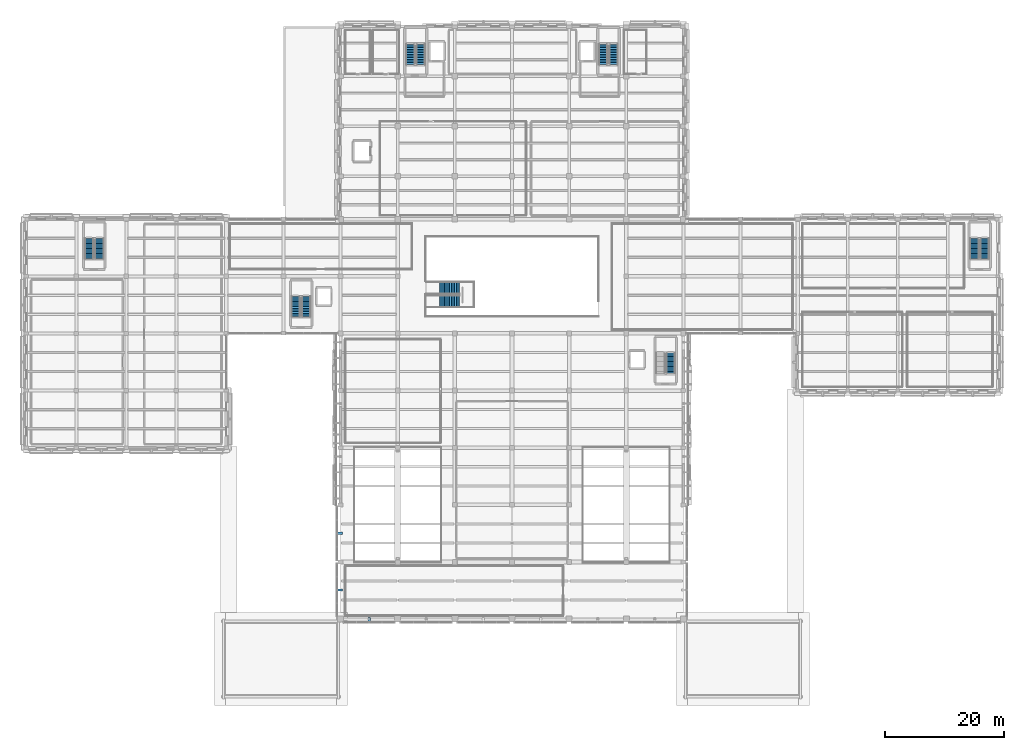
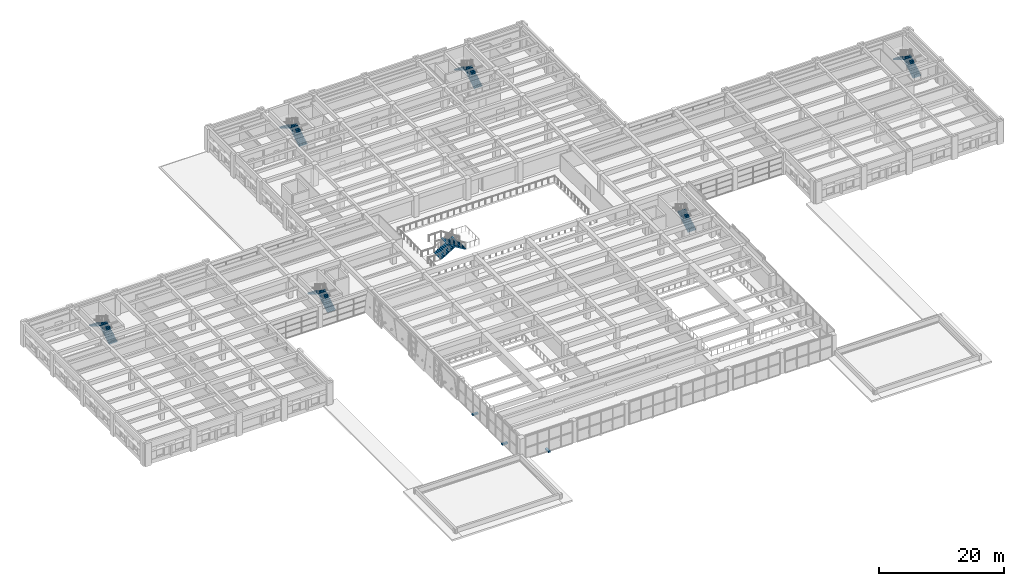
# One storey, part 37 of 49: 13 stair flights, 3 discrete accessories, 7 elements without a shape of their own.
"""IFC4 building model written with IfcOpenShell, lengths in metres."""

from ifc_helpers import new_model, si_unit, direction, frame, origin, origin_2d, place, context, subcontext, project, spatial, polyline, rectangle, outline, extrude, material, layer, layer_set, type_object, element, aggregate, save


model = new_model("IFC4")

# Units and contexts
model_context = context("Model", 3, precision=1e-05, world=origin(), true_north=direction((0.0, 1.0)))
body_context = subcontext(model_context, "Body", "Model", "MODEL_VIEW")
ifc_project = project(units=[si_unit("LENGTHUNIT", "METRE"), si_unit("AREAUNIT", "SQUARE_METRE"), si_unit("VOLUMEUNIT", "CUBIC_METRE"), si_unit("PLANEANGLEUNIT", "RADIAN"), si_unit("MASSUNIT", "GRAM", prefix="KILO")], contexts=[model_context])

# Site, building, storey
site_placement = place(None, origin())
site = spatial("IfcSite", under=ifc_project, at=site_placement, CompositionType="ELEMENT")
building_placement = place(site_placement, origin())
building = spatial("IfcBuilding", under=site, at=building_placement, Name="Bempovik Park Faculty of Sciences", CompositionType="ELEMENT")
storey_placement = place(building_placement, frame((0.0, 0.0, 5.39990234375)))
storey = spatial("IfcBuildingStorey", under=building, at=storey_placement, Name="L01", CompositionType="ELEMENT", Elevation=5.39990234375)

# Stair, stair flights
ifc_material_1 = material(Name="Concrete C35/45", Category="concrete")
stair_type_1 = type_object("IfcStairType", Name="ST-21 Stair W2100 H4500", PredefinedType="STRAIGHT_RUN_STAIR", material=ifc_material_1)
stair_1_placement = place(storey_placement, origin())
stair_1 = element("IfcStair", 1, at=stair_1_placement, inside=storey, type_object=stair_type_1, Name="Atrium Upper Concourse Straight Stair (L01-L02)", PredefinedType="STRAIGHT_RUN_STAIR")
stair_flight_type_1 = type_object("IfcStairFlightType", Name="FL-20 Flight W2100 H4500", PredefinedType="STRAIGHT", material=ifc_material_1)
stair_flight_1_placement = place(storey_placement, frame((76.625, 75.4375, 0.0), z_axis=(0.0, 0.0, 1.0), x_axis=(1.0, 0.0, 0.0)))
stair_flight_1 = element("IfcStairFlight", 2, at=stair_flight_1_placement, type_object=stair_flight_type_1, Name="Atrium Feature Stair Lower Flight", NumberOfRisers=13, NumberOfTreads=12, PredefinedType="STRAIGHT", RiserHeight=0.173076923, TreadLength=0.28125, context=body_context, shape_type="SweptSolid", body=[
    extrude(outline(polyline([(0.0, 0.0), (0.0, 0.173095703125), (0.28125, 0.173095703125), (0.28125, 0.34619140625), (0.5625, 0.34619140625), (0.5625, 0.519287109375), (0.84375, 0.519287109375), (0.84375, 0.6923828125), (1.125, 0.6923828125), (1.125, 0.865478515625), (1.40625, 0.865478515625), (1.40625, 1.03857421875), (1.6875, 1.03857421875), (1.6875, 1.21142578125), (1.96875, 1.21142578125), (1.96875, 1.384521484375), (2.25, 1.384521484375), (2.25, 1.5576171875), (2.53125, 1.5576171875), (2.53125, 1.730712890625), (2.8125, 1.730712890625), (2.8125, 1.90380859375), (3.09375, 1.90380859375), (3.09375, 2.076904296875), (3.375, 2.076904296875), (3.375, 2.25), (3.375, 1.86572265625), (0.34326171875, 0.0), (0.0625, -0.0625), (0.0, -0.0625), (0.0, 0.0)])), frame((0.0, 1.0625, 0.0), z_axis=(0.0, -1.0, 0.0), x_axis=(1.0, 0.0, 0.0)), (0.0, 0.0, 1.0), 2.125),
])
stair_flight_2_placement = place(storey_placement, frame((80.0, 73.1875, 2.25), z_axis=(0.0, 0.0, 1.0), x_axis=(-1.0, 0.0, 0.0)))
stair_flight_2 = element("IfcStairFlight", 3, at=stair_flight_2_placement, type_object=stair_flight_type_1, Name="Atrium Feature Stair Upper Flight", NumberOfRisers=13, NumberOfTreads=12, PredefinedType="STRAIGHT", RiserHeight=0.173076923, TreadLength=0.28125, context=body_context, shape_type="SweptSolid", body=[
    extrude(outline(polyline([(0.0, 0.0), (0.0, 0.173095703125), (0.28125, 0.173095703125), (0.28125, 0.34619140625), (0.5625, 0.34619140625), (0.5625, 0.519287109375), (0.84375, 0.519287109375), (0.84375, 0.6923828125), (1.125, 0.6923828125), (1.125, 0.865478515625), (1.40625, 0.865478515625), (1.40625, 1.03857421875), (1.6875, 1.03857421875), (1.6875, 1.21142578125), (1.96875, 1.21142578125), (1.96875, 1.384521484375), (2.25, 1.384521484375), (2.25, 1.5576171875), (2.53125, 1.5576171875), (2.53125, 1.730712890625), (2.8125, 1.730712890625), (2.8125, 1.90380859375), (3.09375, 1.90380859375), (3.09375, 2.076904296875), (3.375, 2.076904296875), (3.375, 2.25), (3.375, 1.86572265625), (0.34326171875, 0.0), (0.0625, -0.0625), (0.0, -0.0625), (0.0, 0.0)])), frame((0.0, 1.0625, 0.0), z_axis=(0.0, -1.0, 0.0), x_axis=(1.0, 0.0, 0.0)), (0.0, 0.0, 1.0), 2.125),
])
aggregate(stair_1, [stair_flight_1, stair_flight_2])

stair_type_2 = type_object("IfcStairType", Name="ST-12 Stair W1500 H4500", PredefinedType="HALF_TURN_STAIR", material=ifc_material_1)
stair_2_placement = place(storey_placement, origin())
stair_2 = element("IfcStair", 4, at=stair_2_placement, inside=storey, type_object=stair_type_2, Name="L01 ST-1 Dog-Leg Exit Stair", PredefinedType="HALF_TURN_STAIR")
stair_flight_type_2 = type_object("IfcStairFlightType", Name="FL-23 Flight W1500 H4500", PredefinedType="STRAIGHT", material=ifc_material_1)
stair_flight_3_placement = place(storey_placement, frame((73.5, 113.0, 0.0), z_axis=(0.0, 0.0, 1.0), x_axis=(0.0, 1.0, 0.0)))
stair_flight_3 = element("IfcStairFlight", 5, at=stair_flight_3_placement, type_object=stair_flight_type_2, Name="ST-12 flight 1", NumberOfRisers=13, NumberOfTreads=12, PredefinedType="STRAIGHT", RiserHeight=0.173076923, TreadLength=0.28125, context=body_context, shape_type="SweptSolid", body=[
    extrude(outline(polyline([(0.0, 0.0), (0.0, 0.173095703125), (0.28125, 0.173095703125), (0.28125, 0.34619140625), (0.5625, 0.34619140625), (0.5625, 0.519287109375), (0.84375, 0.519287109375), (0.84375, 0.6923828125), (1.125, 0.6923828125), (1.125, 0.865478515625), (1.40625, 0.865478515625), (1.40625, 1.03857421875), (1.6875, 1.03857421875), (1.6875, 1.21142578125), (1.96875, 1.21142578125), (1.96875, 1.384521484375), (2.25, 1.384521484375), (2.25, 1.5576171875), (2.53125, 1.5576171875), (2.53125, 1.730712890625), (2.8125, 1.730712890625), (2.8125, 1.90380859375), (3.09375, 1.90380859375), (3.09375, 2.076904296875), (3.375, 2.076904296875), (3.375, 2.25), (3.375, 1.90087890625), (0.2861328125, 0.0), (0.0625, -0.0625), (0.0, -0.0625), (0.0, 0.0)])), frame((0.0, 0.75, 0.0), z_axis=(0.0, -1.0, 0.0), x_axis=(1.0, 0.0, 0.0)), (0.0, 0.0, 1.0), 1.5),
])
stair_flight_4_placement = place(storey_placement, frame((71.75, 116.375, 2.25), z_axis=(0.0, 0.0, 1.0), x_axis=(0.0, -1.0, 0.0)))
stair_flight_4 = element("IfcStairFlight", 6, at=stair_flight_4_placement, type_object=stair_flight_type_2, Name="ST-12 flight 2", NumberOfRisers=13, NumberOfTreads=12, PredefinedType="STRAIGHT", RiserHeight=0.173076923, TreadLength=0.28125, context=body_context, shape_type="SweptSolid", body=[
    extrude(outline(polyline([(0.0, 0.0), (0.0, 0.173095703125), (0.28125, 0.173095703125), (0.28125, 0.34619140625), (0.5625, 0.34619140625), (0.5625, 0.519287109375), (0.84375, 0.519287109375), (0.84375, 0.6923828125), (1.125, 0.6923828125), (1.125, 0.865478515625), (1.40625, 0.865478515625), (1.40625, 1.03857421875), (1.6875, 1.03857421875), (1.6875, 1.21142578125), (1.96875, 1.21142578125), (1.96875, 1.384521484375), (2.25, 1.384521484375), (2.25, 1.5576171875), (2.53125, 1.5576171875), (2.53125, 1.730712890625), (2.8125, 1.730712890625), (2.8125, 1.90380859375), (3.09375, 1.90380859375), (3.09375, 2.076904296875), (3.375, 2.076904296875), (3.375, 2.25), (3.375, 1.90087890625), (0.2861328125, 0.0), (0.0625, -0.0625), (0.0, -0.0625), (0.0, 0.0)])), frame((0.0, 0.75, 0.0), z_axis=(0.0, -1.0, 0.0), x_axis=(1.0, 0.0, 0.0)), (0.0, 0.0, 1.0), 1.5),
])
aggregate(stair_2, [stair_flight_3, stair_flight_4])

stair_3_placement = place(storey_placement, origin())
stair_3 = element("IfcStair", 7, at=stair_3_placement, inside=storey, type_object=stair_type_2, Name="L01 ST-2 Dog-Leg Exit Stair", PredefinedType="HALF_TURN_STAIR")
stair_flight_5_placement = place(storey_placement, frame((105.875, 113.0, 0.0), z_axis=(0.0, 0.0, 1.0), x_axis=(0.0, 1.0, 0.0)))
stair_flight_5 = element("IfcStairFlight", 8, at=stair_flight_5_placement, type_object=stair_flight_type_2, Name="ST-12 flight 1", NumberOfRisers=13, NumberOfTreads=12, PredefinedType="STRAIGHT", RiserHeight=0.173076923, TreadLength=0.28125, context=body_context, shape_type="SweptSolid", body=[
    extrude(outline(polyline([(0.0, 0.0), (0.0, 0.173095703125), (0.28125, 0.173095703125), (0.28125, 0.34619140625), (0.5625, 0.34619140625), (0.5625, 0.519287109375), (0.84375, 0.519287109375), (0.84375, 0.6923828125), (1.125, 0.6923828125), (1.125, 0.865478515625), (1.40625, 0.865478515625), (1.40625, 1.03857421875), (1.6875, 1.03857421875), (1.6875, 1.21142578125), (1.96875, 1.21142578125), (1.96875, 1.384521484375), (2.25, 1.384521484375), (2.25, 1.5576171875), (2.53125, 1.5576171875), (2.53125, 1.730712890625), (2.8125, 1.730712890625), (2.8125, 1.90380859375), (3.09375, 1.90380859375), (3.09375, 2.076904296875), (3.375, 2.076904296875), (3.375, 2.25), (3.375, 1.90087890625), (0.2861328125, 0.0), (0.0625, -0.0625), (0.0, -0.0625), (0.0, 0.0)])), frame((0.0, 0.75, 0.0), z_axis=(0.0, -1.0, 0.0), x_axis=(1.0, 0.0, 0.0)), (0.0, 0.0, 1.0), 1.5),
])
stair_flight_6_placement = place(storey_placement, frame((104.125, 116.375, 2.25), z_axis=(0.0, 0.0, 1.0), x_axis=(0.0, -1.0, 0.0)))
stair_flight_6 = element("IfcStairFlight", 9, at=stair_flight_6_placement, type_object=stair_flight_type_2, Name="ST-12 flight 2", NumberOfRisers=13, NumberOfTreads=12, PredefinedType="STRAIGHT", RiserHeight=0.173076923, TreadLength=0.28125, context=body_context, shape_type="SweptSolid", body=[
    extrude(outline(polyline([(0.0, 0.0), (0.0, 0.173095703125), (0.28125, 0.173095703125), (0.28125, 0.34619140625), (0.5625, 0.34619140625), (0.5625, 0.519287109375), (0.84375, 0.519287109375), (0.84375, 0.6923828125), (1.125, 0.6923828125), (1.125, 0.865478515625), (1.40625, 0.865478515625), (1.40625, 1.03857421875), (1.6875, 1.03857421875), (1.6875, 1.21142578125), (1.96875, 1.21142578125), (1.96875, 1.384521484375), (2.25, 1.384521484375), (2.25, 1.5576171875), (2.53125, 1.5576171875), (2.53125, 1.730712890625), (2.8125, 1.730712890625), (2.8125, 1.90380859375), (3.09375, 1.90380859375), (3.09375, 2.076904296875), (3.375, 2.076904296875), (3.375, 2.25), (3.375, 1.90087890625), (0.2861328125, 0.0), (0.0625, -0.0625), (0.0, -0.0625), (0.0, 0.0)])), frame((0.0, 0.75, 0.0), z_axis=(0.0, -1.0, 0.0), x_axis=(1.0, 0.0, 0.0)), (0.0, 0.0, 1.0), 1.5),
])
aggregate(stair_3, [stair_flight_5, stair_flight_6])

stair_4_placement = place(storey_placement, origin())
stair_4 = element("IfcStair", 10, at=stair_4_placement, inside=storey, type_object=stair_type_2, Name="L01 ST-3 Dog-Leg Exit Stair", PredefinedType="HALF_TURN_STAIR")
stair_flight_7_placement = place(storey_placement, frame((19.5, 80.375, 0.0), z_axis=(0.0, 0.0, 1.0), x_axis=(0.0, 1.0, 0.0)))
stair_flight_7 = element("IfcStairFlight", 11, at=stair_flight_7_placement, type_object=stair_flight_type_2, Name="ST-12 flight 1", NumberOfRisers=13, NumberOfTreads=12, PredefinedType="STRAIGHT", RiserHeight=0.173076923, TreadLength=0.28125, context=body_context, shape_type="SweptSolid", body=[
    extrude(outline(polyline([(0.0, 0.0), (0.0, 0.173095703125), (0.28125, 0.173095703125), (0.28125, 0.34619140625), (0.5625, 0.34619140625), (0.5625, 0.519287109375), (0.84375, 0.519287109375), (0.84375, 0.6923828125), (1.125, 0.6923828125), (1.125, 0.865478515625), (1.40625, 0.865478515625), (1.40625, 1.03857421875), (1.6875, 1.03857421875), (1.6875, 1.21142578125), (1.96875, 1.21142578125), (1.96875, 1.384521484375), (2.25, 1.384521484375), (2.25, 1.5576171875), (2.53125, 1.5576171875), (2.53125, 1.730712890625), (2.8125, 1.730712890625), (2.8125, 1.90380859375), (3.09375, 1.90380859375), (3.09375, 2.076904296875), (3.375, 2.076904296875), (3.375, 2.25), (3.375, 1.90087890625), (0.2861328125, 0.0), (0.0625, -0.0625), (0.0, -0.0625), (0.0, 0.0)])), frame((0.0, 0.75, 0.0), z_axis=(0.0, -1.0, 0.0), x_axis=(1.0, 0.0, 0.0)), (0.0, 0.0, 1.0), 1.5),
])
stair_flight_8_placement = place(storey_placement, frame((17.75, 83.75, 2.25), z_axis=(0.0, 0.0, 1.0), x_axis=(0.0, -1.0, 0.0)))
stair_flight_8 = element("IfcStairFlight", 12, at=stair_flight_8_placement, type_object=stair_flight_type_2, Name="ST-12 flight 2", NumberOfRisers=13, NumberOfTreads=12, PredefinedType="STRAIGHT", RiserHeight=0.173076923, TreadLength=0.28125, context=body_context, shape_type="SweptSolid", body=[
    extrude(outline(polyline([(0.0, 0.0), (0.0, 0.173095703125), (0.28125, 0.173095703125), (0.28125, 0.34619140625), (0.5625, 0.34619140625), (0.5625, 0.519287109375), (0.84375, 0.519287109375), (0.84375, 0.6923828125), (1.125, 0.6923828125), (1.125, 0.865478515625), (1.40625, 0.865478515625), (1.40625, 1.03857421875), (1.6875, 1.03857421875), (1.6875, 1.21142578125), (1.96875, 1.21142578125), (1.96875, 1.384521484375), (2.25, 1.384521484375), (2.25, 1.5576171875), (2.53125, 1.5576171875), (2.53125, 1.730712890625), (2.8125, 1.730712890625), (2.8125, 1.90380859375), (3.09375, 1.90380859375), (3.09375, 2.076904296875), (3.375, 2.076904296875), (3.375, 2.25), (3.375, 1.90087890625), (0.2861328125, 0.0), (0.0625, -0.0625), (0.0, -0.0625), (0.0, 0.0)])), frame((0.0, 0.75, 0.0), z_axis=(0.0, -1.0, 0.0), x_axis=(1.0, 0.0, 0.0)), (0.0, 0.0, 1.0), 1.5),
])
aggregate(stair_4, [stair_flight_7, stair_flight_8])

stair_5_placement = place(storey_placement, origin())
stair_5 = element("IfcStair", 13, at=stair_5_placement, inside=storey, type_object=stair_type_2, Name="L01 ST-4 Dog-Leg Exit Stair", PredefinedType="HALF_TURN_STAIR")
stair_flight_9_placement = place(storey_placement, frame((54.25, 70.625, 0.0), z_axis=(0.0, 0.0, 1.0), x_axis=(0.0, 1.0, 0.0)))
stair_flight_9 = element("IfcStairFlight", 14, at=stair_flight_9_placement, type_object=stair_flight_type_2, Name="ST-12 flight 1", NumberOfRisers=13, NumberOfTreads=12, PredefinedType="STRAIGHT", RiserHeight=0.173076923, TreadLength=0.28125, context=body_context, shape_type="SweptSolid", body=[
    extrude(outline(polyline([(0.0, 0.0), (0.0, 0.173095703125), (0.28125, 0.173095703125), (0.28125, 0.34619140625), (0.5625, 0.34619140625), (0.5625, 0.519287109375), (0.84375, 0.519287109375), (0.84375, 0.6923828125), (1.125, 0.6923828125), (1.125, 0.865478515625), (1.40625, 0.865478515625), (1.40625, 1.03857421875), (1.6875, 1.03857421875), (1.6875, 1.21142578125), (1.96875, 1.21142578125), (1.96875, 1.384521484375), (2.25, 1.384521484375), (2.25, 1.5576171875), (2.53125, 1.5576171875), (2.53125, 1.730712890625), (2.8125, 1.730712890625), (2.8125, 1.90380859375), (3.09375, 1.90380859375), (3.09375, 2.076904296875), (3.375, 2.076904296875), (3.375, 2.25), (3.375, 1.90087890625), (0.2861328125, 0.0), (0.0625, -0.0625), (0.0, -0.0625), (0.0, 0.0)])), frame((0.0, 0.75, 0.0), z_axis=(0.0, -1.0, 0.0), x_axis=(1.0, 0.0, 0.0)), (0.0, 0.0, 1.0), 1.5),
])
stair_flight_10_placement = place(storey_placement, frame((52.5, 74.0, 2.25), z_axis=(0.0, 0.0, 1.0), x_axis=(0.0, -1.0, 0.0)))
stair_flight_10 = element("IfcStairFlight", 15, at=stair_flight_10_placement, type_object=stair_flight_type_2, Name="ST-12 flight 2", NumberOfRisers=13, NumberOfTreads=12, PredefinedType="STRAIGHT", RiserHeight=0.173076923, TreadLength=0.28125, context=body_context, shape_type="SweptSolid", body=[
    extrude(outline(polyline([(0.0, 0.0), (0.0, 0.173095703125), (0.28125, 0.173095703125), (0.28125, 0.34619140625), (0.5625, 0.34619140625), (0.5625, 0.519287109375), (0.84375, 0.519287109375), (0.84375, 0.6923828125), (1.125, 0.6923828125), (1.125, 0.865478515625), (1.40625, 0.865478515625), (1.40625, 1.03857421875), (1.6875, 1.03857421875), (1.6875, 1.21142578125), (1.96875, 1.21142578125), (1.96875, 1.384521484375), (2.25, 1.384521484375), (2.25, 1.5576171875), (2.53125, 1.5576171875), (2.53125, 1.730712890625), (2.8125, 1.730712890625), (2.8125, 1.90380859375), (3.09375, 1.90380859375), (3.09375, 2.076904296875), (3.375, 2.076904296875), (3.375, 2.25), (3.375, 1.90087890625), (0.2861328125, 0.0), (0.0625, -0.0625), (0.0, -0.0625), (0.0, 0.0)])), frame((0.0, 0.75, 0.0), z_axis=(0.0, -1.0, 0.0), x_axis=(1.0, 0.0, 0.0)), (0.0, 0.0, 1.0), 1.5),
])
aggregate(stair_5, [stair_flight_9, stair_flight_10])

# Stair, stair flight
stair_6_placement = place(storey_placement, origin())
stair_6 = element("IfcStair", 16, at=stair_6_placement, inside=storey, type_object=stair_type_2, Name="L01 ST-5 Dog-Leg Exit Stair", PredefinedType="HALF_TURN_STAIR")
stair_flight_11_placement = place(storey_placement, frame((115.5, 61.125, 0.0), z_axis=(0.0, 0.0, 1.0), x_axis=(0.0, 1.0, 0.0)))
stair_flight_11 = element("IfcStairFlight", 17, at=stair_flight_11_placement, type_object=stair_flight_type_2, Name="ST-12 flight 1", NumberOfRisers=13, NumberOfTreads=12, PredefinedType="STRAIGHT", RiserHeight=0.173076923, TreadLength=0.28125, context=body_context, shape_type="SweptSolid", body=[
    extrude(outline(polyline([(0.0, 0.0), (0.0, 0.173095703125), (0.28125, 0.173095703125), (0.28125, 0.34619140625), (0.5625, 0.34619140625), (0.5625, 0.519287109375), (0.84375, 0.519287109375), (0.84375, 0.6923828125), (1.125, 0.6923828125), (1.125, 0.865478515625), (1.40625, 0.865478515625), (1.40625, 1.03857421875), (1.6875, 1.03857421875), (1.6875, 1.21142578125), (1.96875, 1.21142578125), (1.96875, 1.384521484375), (2.25, 1.384521484375), (2.25, 1.5576171875), (2.53125, 1.5576171875), (2.53125, 1.730712890625), (2.8125, 1.730712890625), (2.8125, 1.90380859375), (3.09375, 1.90380859375), (3.09375, 2.076904296875), (3.375, 2.076904296875), (3.375, 2.25), (3.375, 1.90087890625), (0.2861328125, 0.0), (0.0625, -0.0625), (0.0, -0.0625), (0.0, 0.0)])), frame((0.0, 0.75, 0.0), z_axis=(0.0, -1.0, 0.0), x_axis=(1.0, 0.0, 0.0)), (0.0, 0.0, 1.0), 1.5),
])
aggregate(stair_6, [stair_flight_11])

# Stair, stair flights
stair_7_placement = place(storey_placement, origin())
stair_7 = element("IfcStair", 18, at=stair_7_placement, inside=storey, type_object=stair_type_2, Name="L01 ST-6 Dog-Leg Exit Stair", PredefinedType="HALF_TURN_STAIR")
stair_flight_12_placement = place(storey_placement, frame((168.25, 80.375, 0.0), z_axis=(0.0, 0.0, 1.0), x_axis=(0.0, 1.0, 0.0)))
stair_flight_12 = element("IfcStairFlight", 19, at=stair_flight_12_placement, type_object=stair_flight_type_2, Name="ST-12 flight 1", NumberOfRisers=13, NumberOfTreads=12, PredefinedType="STRAIGHT", RiserHeight=0.173076923, TreadLength=0.28125, context=body_context, shape_type="SweptSolid", body=[
    extrude(outline(polyline([(0.0, 0.0), (0.0, 0.173095703125), (0.28125, 0.173095703125), (0.28125, 0.34619140625), (0.5625, 0.34619140625), (0.5625, 0.519287109375), (0.84375, 0.519287109375), (0.84375, 0.6923828125), (1.125, 0.6923828125), (1.125, 0.865478515625), (1.40625, 0.865478515625), (1.40625, 1.03857421875), (1.6875, 1.03857421875), (1.6875, 1.21142578125), (1.96875, 1.21142578125), (1.96875, 1.384521484375), (2.25, 1.384521484375), (2.25, 1.5576171875), (2.53125, 1.5576171875), (2.53125, 1.730712890625), (2.8125, 1.730712890625), (2.8125, 1.90380859375), (3.09375, 1.90380859375), (3.09375, 2.076904296875), (3.375, 2.076904296875), (3.375, 2.25), (3.375, 1.90087890625), (0.2861328125, 0.0), (0.0625, -0.0625), (0.0, -0.0625), (0.0, 0.0)])), frame((0.0, 0.75, 0.0), z_axis=(0.0, -1.0, 0.0), x_axis=(1.0, 0.0, 0.0)), (0.0, 0.0, 1.0), 1.5),
])
stair_flight_13_placement = place(storey_placement, frame((166.5, 83.75, 2.25), z_axis=(0.0, 0.0, 1.0), x_axis=(0.0, -1.0, 0.0)))
stair_flight_13 = element("IfcStairFlight", 20, at=stair_flight_13_placement, type_object=stair_flight_type_2, Name="ST-12 flight 2", NumberOfRisers=13, NumberOfTreads=12, PredefinedType="STRAIGHT", RiserHeight=0.173076923, TreadLength=0.28125, context=body_context, shape_type="SweptSolid", body=[
    extrude(outline(polyline([(0.0, 0.0), (0.0, 0.173095703125), (0.28125, 0.173095703125), (0.28125, 0.34619140625), (0.5625, 0.34619140625), (0.5625, 0.519287109375), (0.84375, 0.519287109375), (0.84375, 0.6923828125), (1.125, 0.6923828125), (1.125, 0.865478515625), (1.40625, 0.865478515625), (1.40625, 1.03857421875), (1.6875, 1.03857421875), (1.6875, 1.21142578125), (1.96875, 1.21142578125), (1.96875, 1.384521484375), (2.25, 1.384521484375), (2.25, 1.5576171875), (2.53125, 1.5576171875), (2.53125, 1.730712890625), (2.8125, 1.730712890625), (2.8125, 1.90380859375), (3.09375, 1.90380859375), (3.09375, 2.076904296875), (3.375, 2.076904296875), (3.375, 2.25), (3.375, 1.90087890625), (0.2861328125, 0.0), (0.0625, -0.0625), (0.0, -0.0625), (0.0, 0.0)])), frame((0.0, 0.75, 0.0), z_axis=(0.0, -1.0, 0.0), x_axis=(1.0, 0.0, 0.0)), (0.0, 0.0, 1.0), 1.5),
])
aggregate(stair_7, [stair_flight_12, stair_flight_13])

# Discrete accessories
ifc_material_2 = material(Name="Steel S355", Category="steel")
ifc_layer = layer(ifc_material_2, 0.14990234375)
ifc_layer_set = layer_set([ifc_layer], Name="Steel S355")
discrete_accessory_type = type_object("IfcDiscreteAccessoryType", Name="BK-01 Facade Support Bracket", PredefinedType="BRACKET", material=ifc_layer_set)
discrete_accessory_placement = place(storey_placement, frame((64.800048828125, 19.580078125, -0.1201171875), z_axis=(0.0, 0.0, 1.0), x_axis=(1.0, 0.0, 0.0)))
element("IfcDiscreteAccessory", 21, at=discrete_accessory_placement, inside=storey, type_object=discrete_accessory_type, Name="Glazed Base Tie Bracket L01-198-600", PredefinedType="BRACKET", context=body_context, shape_type="SweptSolid", body=[
    extrude(rectangle(XDim=0.39990234375, YDim=1.050048828125, at=origin_2d()), origin(), (0.0, 0.0, 1.0), 0.320068359375),
])
for number, where, z_axis, x_axis, name in (
    (22, (59.780029296875, 24.6875, -0.1201171875), (0.0, 0.0, 1.0), (1.0, 0.0, 0.0), "Glazed Base Tie Bracket L01-600-198"),
    (23, (59.780029296875, 34.199951171875, -0.1201171875), (0.0, 0.0, 1.0), (1.0, 0.0, 0.0), "Glazed Base Tie Bracket L01-600-294"),
):
    element("IfcDiscreteAccessory", number, at=place(storey_placement, frame(where, z_axis=z_axis, x_axis=x_axis)), inside=storey, type_object=discrete_accessory_type, Name=name, PredefinedType="BRACKET", context=body_context, shape_type="SweptSolid", body=[
        extrude(rectangle(XDim=1.050048828125, YDim=0.39990234375, at=origin_2d()), origin(), (0.0, 0.0, 1.0), 0.320068359375),
    ])

save(model, "model.ifc")
